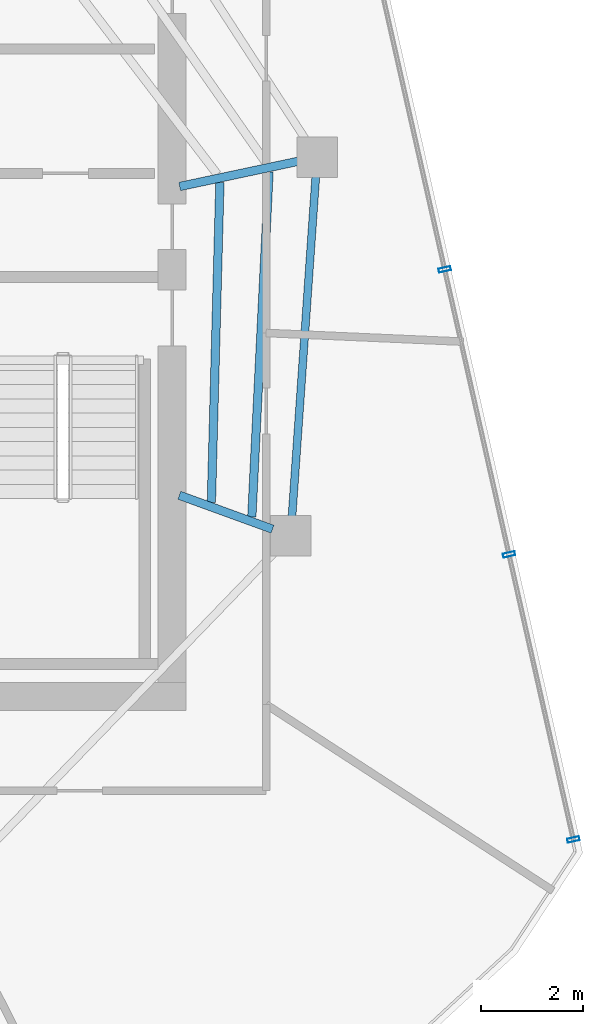
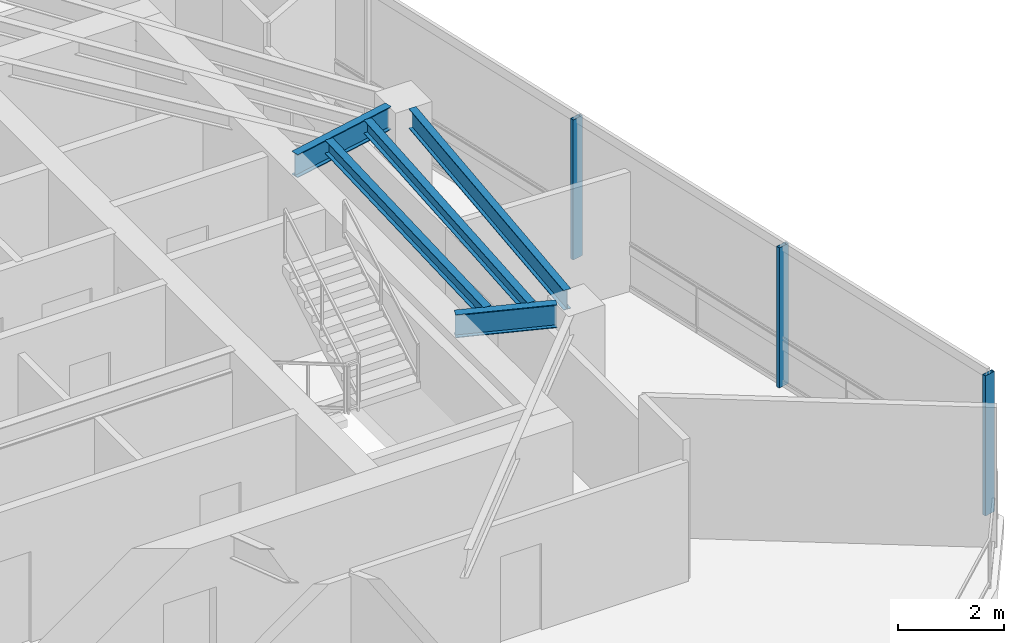
# One storey, part 8 of 19: 5 beams, 3 members, 1 element without a shape of its own.
"""IFC4 building model written with IfcOpenShell, lengths in metres."""

from ifc_helpers import new_model, si_unit, direction, frame, origin, origin_2d, place, context, subcontext, project, spatial, hollow_rectangle, i_section, extrude, material, layer, layer_set, material_profile, profile_set, type_object, element, aggregate, save


model = new_model("IFC4")

# Units and contexts
model_context = context("Model", 3, precision=1e-05, world=origin(), true_north=direction((0.0, 1.0)))
body_context = subcontext(model_context, "Body", "Model", "MODEL_VIEW")
ifc_project = project(units=[si_unit("LENGTHUNIT", "METRE"), si_unit("AREAUNIT", "SQUARE_METRE"), si_unit("VOLUMEUNIT", "CUBIC_METRE"), si_unit("PLANEANGLEUNIT", "RADIAN"), si_unit("MASSUNIT", "GRAM", prefix="KILO")], contexts=[model_context])

# Site, building, storey
site_placement = place(None, origin())
site = spatial("IfcSite", under=ifc_project, at=site_placement, CompositionType="ELEMENT")
building_placement = place(site_placement, origin())
building = spatial("IfcBuilding", under=site, at=building_placement, Name="Qarnah Convention Tower", CompositionType="ELEMENT")
storey_placement = place(building_placement, frame((0.0, 0.0, 228.300048828125)))
storey = spatial("IfcBuildingStorey", under=building, at=storey_placement, Name="L61", CompositionType="ELEMENT", Elevation=228.300048828125)

# Beams
ifc_material_1 = material(Name="Structural steel S355JR", Category="steel")
ifc_material_profile_1 = material_profile(ifc_material_1, i_section(OverallWidth=0.166015625, OverallDepth=0.31201171875, WebThickness=0.007080078125, FlangeThickness=0.010986328125, at=origin_2d()), Name="W310X45")
ifc_profile_set_1 = profile_set([ifc_material_profile_1], Name="Structural steel S355JR")
beam_type_1 = type_object("IfcBeamType", Name="BM-JST-W310", PredefinedType="JOIST", material=ifc_profile_set_1)
beam_1_placement = place(storey_placement, frame((49.16796875, 22.135986328125, 3.083984375), z_axis=(0.049873147584, 0.99875556026, 0.0), x_axis=(-0.99875556026, 0.049873147584, 0.0)))
element("IfcBeam", 1, at=beam_1_placement, inside=storey, type_object=beam_type_1, Name="L61 joist BM-L61-SJST-09", PredefinedType="JOIST", context=body_context, shape_type="SweptSolid", body=[
    extrude(i_section(OverallWidth=0.166015625, OverallDepth=0.31201171875, WebThickness=0.007080078125, FlangeThickness=0.010986328125, at=origin_2d()), origin(), (0.0, 0.0, 1.0), 6.799560546875),
])
beam_2_placement = place(storey_placement, frame((48.3720703125, 22.425048828125, 3.083984375), z_axis=(0.026673720323, 0.999644193023, 0.0), x_axis=(-0.999644193023, 0.026673720323, 0.0)))
element("IfcBeam", 2, at=beam_2_placement, inside=storey, type_object=beam_type_1, Name="L61 joist BM-L61-IJST-09", PredefinedType="JOIST", context=body_context, shape_type="SweptSolid", body=[
    extrude(i_section(OverallWidth=0.166015625, OverallDepth=0.31201171875, WebThickness=0.007080078125, FlangeThickness=0.010986328125, at=origin_2d()), origin(), (0.0, 0.0, 1.0), 6.297119140625),
])
ifc_material_profile_2 = material_profile(ifc_material_1, i_section(OverallWidth=0.166015625, OverallDepth=0.535888671875, WebThickness=0.010009765625, FlangeThickness=0.01708984375, at=origin_2d()), Name="W530X85")
ifc_profile_set_2 = profile_set([ifc_material_profile_2], Name="Structural steel S355JR")
beam_type_2 = type_object("IfcBeamType", Name="BM-RAD-W530B", PredefinedType="BEAM", material=ifc_profile_set_2)
beam_3_placement = place(storey_placement, frame((47.7470703125, 28.64111328125, 2.971923828125), z_axis=(0.978103714349, 0.20811805298, 0.0), x_axis=(-0.20811805298, 0.978103714349, 0.0)))
element("IfcBeam", 3, at=beam_3_placement, inside=storey, type_object=beam_type_2, Name="L61 beam BM-L61-RAD-01", PredefinedType="BEAM", context=body_context, shape_type="SweptSolid", body=[
    extrude(i_section(OverallWidth=0.166015625, OverallDepth=0.535888671875, WebThickness=0.010009765625, FlangeThickness=0.01708984375, at=origin_2d()), origin(), (0.0, 0.0, 1.0), 2.38720703125),
])
beam_4_placement = place(storey_placement, frame((47.740966796875, 22.56396484375, 2.971923828125), z_axis=(0.93967655832, -0.342064271363, 0.0), x_axis=(0.342064271363, 0.93967655832, 0.0)))
element("IfcBeam", 4, at=beam_4_placement, inside=storey, type_object=beam_type_2, Name="L61 beam BM-L61-RAD-09", PredefinedType="BEAM", context=body_context, shape_type="SweptSolid", body=[
    extrude(i_section(OverallWidth=0.166015625, OverallDepth=0.535888671875, WebThickness=0.010009765625, FlangeThickness=0.01708984375, at=origin_2d()), origin(), (0.0, 0.0, 1.0), 1.95263671875),
])
ifc_material_profile_3 = material_profile(ifc_material_1, i_section(OverallWidth=0.154052734375, OverallDepth=0.4599609375, WebThickness=0.009033203125, FlangeThickness=0.014892578125, at=origin_2d()), Name="W460X68")
ifc_profile_set_3 = profile_set([ifc_material_profile_3], Name="Structural steel S355JR")
beam_type_3 = type_object("IfcBeamType", Name="BM-SPN-W460B", PredefinedType="SPANDREL", material=ifc_profile_set_3)
beam_5_placement = place(storey_placement, frame((49.9599609375, 22.155029296875, 3.010009765625), z_axis=(0.069820410922, 0.997559577278, 0.0), x_axis=(-0.997559577278, 0.069820410922, 0.0)))
element("IfcBeam", 5, at=beam_5_placement, inside=storey, type_object=beam_type_3, Name="L61 spandrel BM-L61-SPN-09", PredefinedType="SPANDREL", context=body_context, shape_type="SweptSolid", body=[
    extrude(i_section(OverallWidth=0.154052734375, OverallDepth=0.4599609375, WebThickness=0.009033203125, FlangeThickness=0.014892578125, at=origin_2d()), origin(), (0.0, 0.0, 1.0), 6.689208984375),
])

# Curtain wall, members
ifc_material_2 = material(Name="Tempered Low-E dark glass", Category="glass")
ifc_layer = layer(ifc_material_2, 0.176025390625)
ifc_layer_set = layer_set([ifc_layer], Name="Tempered Low-E dark glass")
curtain_wall_type = type_object("IfcCurtainWallType", Name="CWS-05", PredefinedType="NOTDEFINED", material=ifc_layer_set)
curtain_wall_placement = place(storey_placement, origin())
curtain_wall = element("IfcCurtainWall", 6, at=curtain_wall_placement, inside=storey, type_object=curtain_wall_type, Name="L61 unitised curtain wall CW-L61-F2", PredefinedType="NOTDEFINED")
ifc_material_3 = material(Name="Black anodised aluminium", Category="aluminium")
ifc_material_profile_4 = material_profile(ifc_material_3, hollow_rectangle(XDim=0.080078125, YDim=0.239990234375, WallThickness=0.0048828125, at=origin_2d()), Name="MUL-80X240")
ifc_profile_set_4 = profile_set([ifc_material_profile_4], Name="Black anodised aluminium")
member_type = type_object("IfcMemberType", Name="MUL-T5", PredefinedType="MULLION", material=ifc_profile_set_4)
member_1_placement = place(storey_placement, frame((52.96484375, 27.009765625, 0.0), z_axis=(0.0, 0.0, 1.0), x_axis=(0.220179770562, -0.975459311625, 0.0)))
member_1 = element("IfcMember", 7, at=member_1_placement, type_object=member_type, Name="CW-L61-F2 mullion 4", PredefinedType="MULLION", context=body_context, shape_type="SweptSolid", body=[
    extrude(hollow_rectangle(XDim=0.080078125, YDim=0.239990234375, WallThickness=0.0048828125, at=origin_2d()), origin(), (0.0, 0.0, 1.0), 3.239990234375),
])
member_2_placement = place(storey_placement, frame((54.2314453125, 21.3984375, 0.0), z_axis=(0.0, 0.0, 1.0), x_axis=(0.220179770562, -0.975459311625, 0.0)))
member_2 = element("IfcMember", 8, at=member_2_placement, type_object=member_type, Name="CW-L61-F2 mullion 5", PredefinedType="MULLION", context=body_context, shape_type="SweptSolid", body=[
    extrude(hollow_rectangle(XDim=0.080078125, YDim=0.239990234375, WallThickness=0.0048828125, at=origin_2d()), origin(), (0.0, 0.0, 1.0), 3.239990234375),
])
member_3_placement = place(storey_placement, frame((55.498046875, 15.787109375, 0.0), z_axis=(0.0, 0.0, 1.0), x_axis=(0.220179770562, -0.975459311625, 0.0)))
member_3 = element("IfcMember", 9, at=member_3_placement, type_object=member_type, Name="CW-L61-F2 mullion 6", PredefinedType="MULLION", context=body_context, shape_type="SweptSolid", body=[
    extrude(hollow_rectangle(XDim=0.080078125, YDim=0.239990234375, WallThickness=0.0048828125, at=origin_2d()), origin(), (0.0, 0.0, 1.0), 3.239990234375),
])
aggregate(curtain_wall, [member_1, member_2, member_3])

save(model, "model.ifc")
